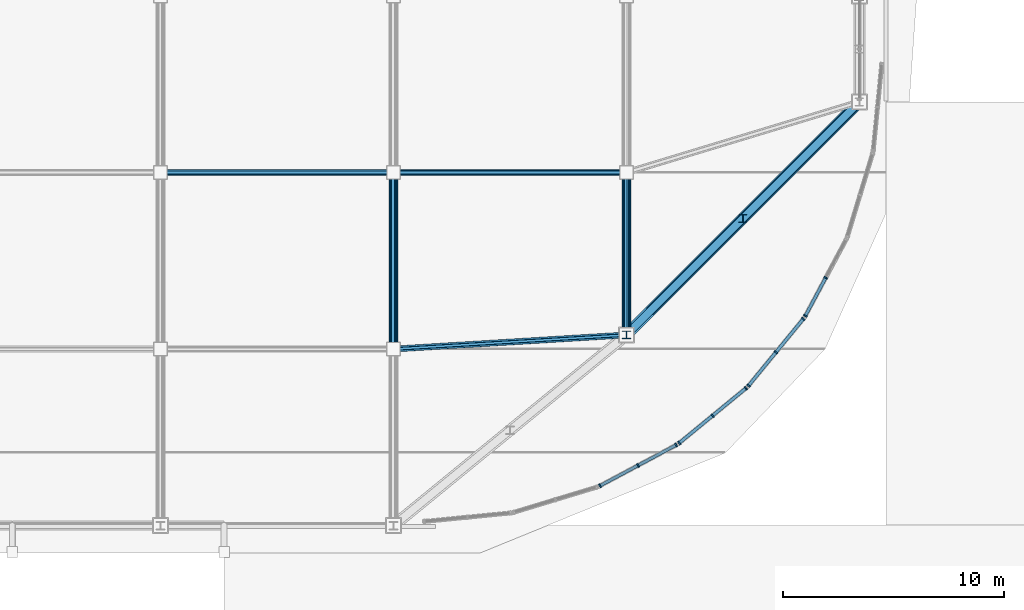
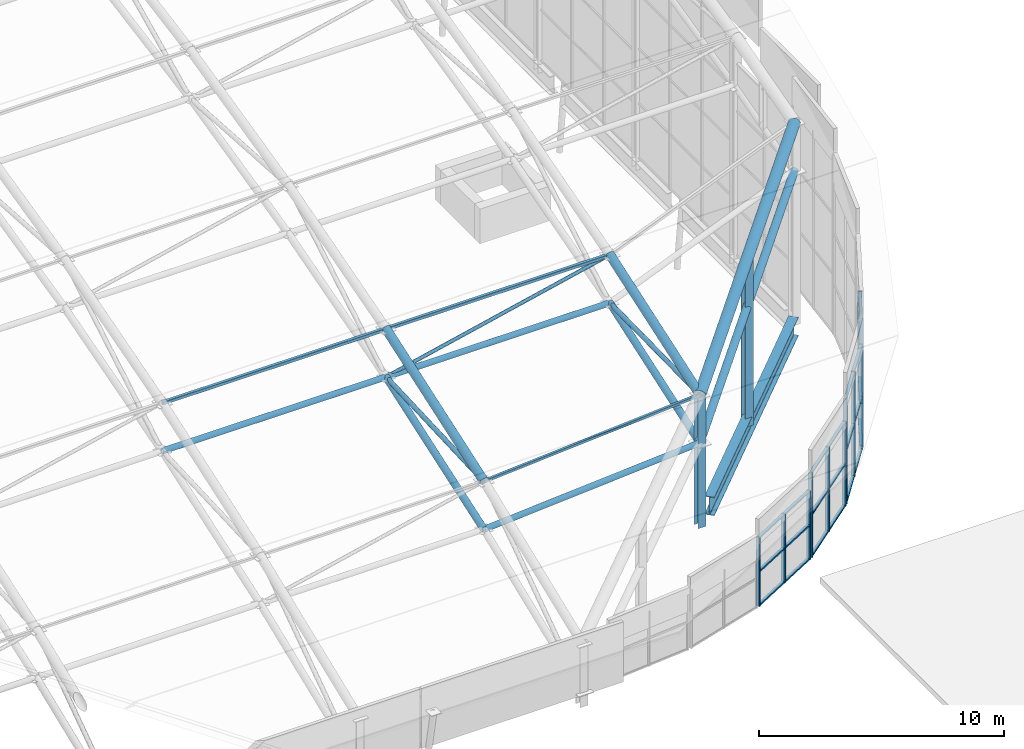
# One storey, part 10 of 42: 50 members, 1 beam, 4 elements without a shape of their own.
"""IFC4 building model written with IfcOpenShell, lengths in metres."""

from ifc_helpers import new_model, si_unit, direction, frame, origin, origin_2d, place, context, subcontext, project, spatial, rectangle, hollow_rectangle, hollow_circle, i_section, extrude, material, layer, layer_set, material_profile, profile_set, type_object, element, aggregate, save


model = new_model("IFC4")

# Units and contexts
model_context = context("Model", 3, precision=1e-05, world=origin(), true_north=direction((0.0, 1.0)))
body_context = subcontext(model_context, "Body", "Model", "MODEL_VIEW")
ifc_project = project(units=[si_unit("LENGTHUNIT", "METRE"), si_unit("AREAUNIT", "SQUARE_METRE"), si_unit("VOLUMEUNIT", "CUBIC_METRE"), si_unit("PLANEANGLEUNIT", "RADIAN"), si_unit("MASSUNIT", "GRAM", prefix="KILO")], contexts=[model_context])

# Site, building, storey
site_placement = place(None, origin())
site = spatial("IfcSite", under=ifc_project, at=site_placement, CompositionType="ELEMENT")
building_placement = place(site_placement, origin())
building = spatial("IfcBuilding", under=site, at=building_placement, Name="Caelomonte Colonnade Arena", CompositionType="ELEMENT")
storey_placement = place(building_placement, frame((0.0, 0.0, 28.199951171875)))
storey = spatial("IfcBuildingStorey", under=building, at=storey_placement, Name="RF", CompositionType="ELEMENT", Elevation=28.199951171875)

# Curtain wall, members
ifc_material_1 = material(Name="Bronze anodised aluminium and low-E glazing", Category="aluminium")
ifc_layer_1 = layer(ifc_material_1, 0.179931640625)
ifc_layer_set_1 = layer_set([ifc_layer_1], Name="Bronze anodised aluminium and low-E glazing")
curtain_wall_type_1 = type_object("IfcCurtainWallType", Name="ENV-CW-CW-TYMPC-03-34", PredefinedType="USERDEFINED", material=ifc_layer_set_1)
curtain_wall_1_placement = place(storey_placement, origin())
curtain_wall_1 = element("IfcCurtainWall", 1, at=curtain_wall_1_placement, inside=storey, type_object=curtain_wall_type_1, Name="Barrel arch rounded corner clerestory curtain wall 3", ObjectType="UNITIZED CURTAIN WALL", PredefinedType="USERDEFINED")
ifc_material_2 = material(Name="Bronze anodised aluminium AA6063-T6", Category="aluminium")
ifc_material_profile_1 = material_profile(ifc_material_2, rectangle(XDim=0.070068359375, YDim=0.179931640625, at=origin_2d()), Name="CWM-70X180")
ifc_profile_set_1 = profile_set([ifc_material_profile_1], Name="Bronze anodised aluminium AA6063-T6")
member_type_1 = type_object("IfcMemberType", Name="ENV-CW-MULL1", PredefinedType="MULLION", material=ifc_profile_set_1)
member_1_placement = place(storey_placement, frame((151.4423828125, 21.0048828125, -0.14990234375), z_axis=(0.0, 0.0, 1.0), x_axis=(0.881924283795, 0.471391087795, 0.0)))
member_1 = element("IfcMember", 2, at=member_1_placement, type_object=member_type_1, Name="CW-TYMPC-03-34 mullion 1", PredefinedType="MULLION", context=body_context, shape_type="SweptSolid", body=[
    extrude(rectangle(XDim=0.070068359375, YDim=0.179931640625, at=origin_2d()), origin(), (0.0, 0.0, 1.0), 3.43994140625),
])
member_2_placement = place(storey_placement, frame((153.167236328125, 21.9267578125, -0.14990234375), z_axis=(0.0, 0.0, 1.0), x_axis=(0.881924283795, 0.471391087795, 0.0)))
member_2 = element("IfcMember", 3, at=member_2_placement, type_object=member_type_1, Name="CW-TYMPC-03-34 mullion 2", PredefinedType="MULLION", context=body_context, shape_type="SweptSolid", body=[
    extrude(rectangle(XDim=0.070068359375, YDim=0.179931640625, at=origin_2d()), origin(), (0.0, 0.0, 1.0), 3.43994140625),
])
member_3_placement = place(storey_placement, frame((154.89208984375, 22.8486328125, -0.14990234375), z_axis=(0.0, 0.0, 1.0), x_axis=(0.881924283795, 0.471391087795, 0.0)))
member_3 = element("IfcMember", 4, at=member_3_placement, type_object=member_type_1, Name="CW-TYMPC-03-34 mullion 3", PredefinedType="MULLION", context=body_context, shape_type="SweptSolid", body=[
    extrude(rectangle(XDim=0.070068359375, YDim=0.179931640625, at=origin_2d()), origin(), (0.0, 0.0, 1.0), 3.43994140625),
])

ifc_layer_2 = layer(ifc_material_1, 0.179931640625)
ifc_layer_set_2 = layer_set([ifc_layer_2], Name="Bronze anodised aluminium and low-E glazing")
curtain_wall_type_2 = type_object("IfcCurtainWallType", Name="ENV-CW-CW-TYMPC-04-42", PredefinedType="USERDEFINED", material=ifc_layer_set_2)
curtain_wall_2_placement = place(storey_placement, origin())
curtain_wall_2 = element("IfcCurtainWall", 5, at=curtain_wall_2_placement, inside=storey, type_object=curtain_wall_type_2, Name="Barrel arch rounded corner clerestory curtain wall 4", ObjectType="UNITIZED CURTAIN WALL", PredefinedType="USERDEFINED")
member_4_placement = place(storey_placement, frame((155.03271484375, 22.942626953125, -0.14990234375), z_axis=(0.0, 0.0, 1.0), x_axis=(0.773000731835, 0.634405129694, 0.0)))
member_4 = element("IfcMember", 6, at=member_4_placement, type_object=member_type_1, Name="CW-TYMPC-04-42 mullion 1", PredefinedType="MULLION", context=body_context, shape_type="SweptSolid", body=[
    extrude(rectangle(XDim=0.070068359375, YDim=0.179931640625, at=origin_2d()), origin(), (0.0, 0.0, 1.0), 4.222412109375),
])
member_5_placement = place(storey_placement, frame((156.54443359375, 24.183349609375, -0.14990234375), z_axis=(0.0, 0.0, 1.0), x_axis=(0.773000731835, 0.634405129694, 0.0)))
member_5 = element("IfcMember", 7, at=member_5_placement, type_object=member_type_1, Name="CW-TYMPC-04-42 mullion 2", PredefinedType="MULLION", context=body_context, shape_type="SweptSolid", body=[
    extrude(rectangle(XDim=0.070068359375, YDim=0.179931640625, at=origin_2d()), origin(), (0.0, 0.0, 1.0), 4.222412109375),
])
member_6_placement = place(storey_placement, frame((158.05615234375, 25.424072265625, -0.14990234375), z_axis=(0.0, 0.0, 1.0), x_axis=(0.773000731835, 0.634405129694, 0.0)))
member_6 = element("IfcMember", 8, at=member_6_placement, type_object=member_type_1, Name="CW-TYMPC-04-42 mullion 3", PredefinedType="MULLION", context=body_context, shape_type="SweptSolid", body=[
    extrude(rectangle(XDim=0.070068359375, YDim=0.179931640625, at=origin_2d()), origin(), (0.0, 0.0, 1.0), 4.222412109375),
])

ifc_layer_3 = layer(ifc_material_1, 0.179931640625)
ifc_layer_set_3 = layer_set([ifc_layer_3], Name="Bronze anodised aluminium and low-E glazing")
curtain_wall_type_3 = type_object("IfcCurtainWallType", Name="ENV-CW-CW-TYMPC-04-52", PredefinedType="USERDEFINED", material=ifc_layer_set_3)
curtain_wall_3_placement = place(storey_placement, origin())
curtain_wall_3 = element("IfcCurtainWall", 9, at=curtain_wall_3_placement, inside=storey, type_object=curtain_wall_type_3, Name="Barrel arch rounded corner clerestory curtain wall 5", ObjectType="UNITIZED CURTAIN WALL", PredefinedType="USERDEFINED")
member_7_placement = place(storey_placement, frame((158.176025390625, 25.543701171875, -0.14990234375), z_axis=(0.0, 0.0, 1.0), x_axis=(0.634405129694, 0.773000731835, 0.0)))
member_7 = element("IfcMember", 10, at=member_7_placement, type_object=member_type_1, Name="CW-TYMPC-04-52 mullion 1", PredefinedType="MULLION", context=body_context, shape_type="SweptSolid", body=[
    extrude(rectangle(XDim=0.070068359375, YDim=0.179931640625, at=origin_2d()), origin(), (0.0, 0.0, 1.0), 5.236083984375),
])
member_8_placement = place(storey_placement, frame((159.41650390625, 27.055419921875, -0.14990234375), z_axis=(0.0, 0.0, 1.0), x_axis=(0.634405129694, 0.773000731835, 0.0)))
member_8 = element("IfcMember", 11, at=member_8_placement, type_object=member_type_1, Name="CW-TYMPC-04-52 mullion 2", PredefinedType="MULLION", context=body_context, shape_type="SweptSolid", body=[
    extrude(rectangle(XDim=0.070068359375, YDim=0.179931640625, at=origin_2d()), origin(), (0.0, 0.0, 1.0), 5.236083984375),
])
member_9_placement = place(storey_placement, frame((160.6572265625, 28.567138671875, -0.14990234375), z_axis=(0.0, 0.0, 1.0), x_axis=(0.634405129694, 0.773000731835, 0.0)))
member_9 = element("IfcMember", 12, at=member_9_placement, type_object=member_type_1, Name="CW-TYMPC-04-52 mullion 3", PredefinedType="MULLION", context=body_context, shape_type="SweptSolid", body=[
    extrude(rectangle(XDim=0.070068359375, YDim=0.179931640625, at=origin_2d()), origin(), (0.0, 0.0, 1.0), 5.236083984375),
])

ifc_layer_4 = layer(ifc_material_1, 0.179931640625)
ifc_layer_set_4 = layer_set([ifc_layer_4], Name="Bronze anodised aluminium and low-E glazing")
curtain_wall_type_4 = type_object("IfcCurtainWallType", Name="ENV-CW-CW-TYMPC-03-64", PredefinedType="USERDEFINED", material=ifc_layer_set_4)
curtain_wall_4_placement = place(storey_placement, origin())
curtain_wall_4 = element("IfcCurtainWall", 13, at=curtain_wall_4_placement, inside=storey, type_object=curtain_wall_type_4, Name="Barrel arch rounded corner clerestory curtain wall 6", ObjectType="UNITIZED CURTAIN WALL", PredefinedType="USERDEFINED")
member_10_placement = place(storey_placement, frame((160.751220703125, 28.7080078125, -0.14990234375), z_axis=(0.0, 0.0, 1.0), x_axis=(0.471391087795, 0.881924283795, 0.0)))
member_10 = element("IfcMember", 14, at=member_10_placement, type_object=member_type_1, Name="CW-TYMPC-03-64 mullion 1", PredefinedType="MULLION", context=body_context, shape_type="SweptSolid", body=[
    extrude(rectangle(XDim=0.070068359375, YDim=0.179931640625, at=origin_2d()), origin(), (0.0, 0.0, 1.0), 6.40966796875),
])
member_11_placement = place(storey_placement, frame((161.673095703125, 30.432861328125, -0.14990234375), z_axis=(0.0, 0.0, 1.0), x_axis=(0.471391087795, 0.881924283795, 0.0)))
member_11 = element("IfcMember", 15, at=member_11_placement, type_object=member_type_1, Name="CW-TYMPC-03-64 mullion 2", PredefinedType="MULLION", context=body_context, shape_type="SweptSolid", body=[
    extrude(rectangle(XDim=0.070068359375, YDim=0.179931640625, at=origin_2d()), origin(), (0.0, 0.0, 1.0), 6.40966796875),
])

# Member
ifc_material_profile_2 = material_profile(ifc_material_2, rectangle(XDim=0.070068359375, YDim=0.139892578125, at=origin_2d()), Name="CWT-70X140")
ifc_profile_set_2 = profile_set([ifc_material_profile_2], Name="Bronze anodised aluminium AA6063-T6")
member_type_2 = type_object("IfcMemberType", Name="ENV-CW-TRAN1", PredefinedType="USERDEFINED", material=ifc_profile_set_2)
member_12_placement = place(storey_placement, frame((151.473388671875, 21.021484375, -0.114990234375), z_axis=(0.881926100802, 0.471387688347, 0.0), x_axis=(0.0, 0.0, 1.0)))
member_12 = element("IfcMember", 16, at=member_12_placement, type_object=member_type_2, Name="CW-TYMPC-03-34 transom 1.1", ObjectType="TRANSOM", PredefinedType="USERDEFINED", context=body_context, shape_type="SweptSolid", body=[
    extrude(rectangle(XDim=0.070068359375, YDim=0.139892578125, at=origin_2d()), origin(), (0.0, 0.0, 1.0), 1.8857421875),
])

member_13_placement = place(storey_placement, frame((151.473388671875, 21.021484375, 1.570068359375), z_axis=(0.881926100802, 0.471387688347, 0.0), x_axis=(0.0, 0.0, 1.0)))
member_13 = element("IfcMember", 17, at=member_13_placement, type_object=member_type_2, Name="CW-TYMPC-03-34 transom 1.2", ObjectType="TRANSOM", PredefinedType="USERDEFINED", context=body_context, shape_type="SweptSolid", body=[
    extrude(rectangle(XDim=0.070068359375, YDim=0.139892578125, at=origin_2d()), origin(), (0.0, 0.0, 1.0), 1.8857421875),
])

member_14_placement = place(storey_placement, frame((151.473388671875, 21.021484375, 3.2548828125), z_axis=(0.881926100802, 0.471387688347, 0.0), x_axis=(0.0, 0.0, 1.0)))
member_14 = element("IfcMember", 18, at=member_14_placement, type_object=member_type_2, Name="CW-TYMPC-03-34 transom 1.3", ObjectType="TRANSOM", PredefinedType="USERDEFINED", context=body_context, shape_type="SweptSolid", body=[
    extrude(rectangle(XDim=0.070068359375, YDim=0.139892578125, at=origin_2d()), origin(), (0.0, 0.0, 1.0), 1.8857421875),
])

member_15_placement = place(storey_placement, frame((153.197998046875, 21.943359375, -0.114990234375), z_axis=(0.881926100802, 0.471387688347, 0.0), x_axis=(0.0, 0.0, 1.0)))
member_15 = element("IfcMember", 19, at=member_15_placement, type_object=member_type_2, Name="CW-TYMPC-03-34 transom 2.1", ObjectType="TRANSOM", PredefinedType="USERDEFINED", context=body_context, shape_type="SweptSolid", body=[
    extrude(rectangle(XDim=0.070068359375, YDim=0.139892578125, at=origin_2d()), origin(), (0.0, 0.0, 1.0), 1.8857421875),
])

member_16_placement = place(storey_placement, frame((153.197998046875, 21.943359375, 1.570068359375), z_axis=(0.881926100802, 0.471387688347, 0.0), x_axis=(0.0, 0.0, 1.0)))
member_16 = element("IfcMember", 20, at=member_16_placement, type_object=member_type_2, Name="CW-TYMPC-03-34 transom 2.2", ObjectType="TRANSOM", PredefinedType="USERDEFINED", context=body_context, shape_type="SweptSolid", body=[
    extrude(rectangle(XDim=0.070068359375, YDim=0.139892578125, at=origin_2d()), origin(), (0.0, 0.0, 1.0), 1.8857421875),
])

member_17_placement = place(storey_placement, frame((153.197998046875, 21.943359375, 3.2548828125), z_axis=(0.881926100802, 0.471387688347, 0.0), x_axis=(0.0, 0.0, 1.0)))
member_17 = element("IfcMember", 21, at=member_17_placement, type_object=member_type_2, Name="CW-TYMPC-03-34 transom 2.3", ObjectType="TRANSOM", PredefinedType="USERDEFINED", context=body_context, shape_type="SweptSolid", body=[
    extrude(rectangle(XDim=0.070068359375, YDim=0.139892578125, at=origin_2d()), origin(), (0.0, 0.0, 1.0), 1.8857421875),
])

aggregate(curtain_wall_1, [member_1, member_2, member_3, member_12, member_13, member_14, member_15, member_16, member_17])

member_18_placement = place(storey_placement, frame((155.059814453125, 22.96484375, -0.114990234375), z_axis=(0.772975681476, 0.634435651463, 0.0), x_axis=(0.0, 0.0, 1.0)))
member_18 = element("IfcMember", 22, at=member_18_placement, type_object=member_type_2, Name="CW-TYMPC-04-42 transom 1.1", ObjectType="TRANSOM", PredefinedType="USERDEFINED", context=body_context, shape_type="SweptSolid", body=[
    extrude(rectangle(XDim=0.070068359375, YDim=0.139892578125, at=origin_2d()), origin(), (0.0, 0.0, 1.0), 1.885498046875),
])

member_19_placement = place(storey_placement, frame((155.059814453125, 22.96484375, 1.96142578125), z_axis=(0.772975681476, 0.634435651463, 0.0), x_axis=(0.0, 0.0, 1.0)))
member_19 = element("IfcMember", 23, at=member_19_placement, type_object=member_type_2, Name="CW-TYMPC-04-42 transom 1.2", ObjectType="TRANSOM", PredefinedType="USERDEFINED", context=body_context, shape_type="SweptSolid", body=[
    extrude(rectangle(XDim=0.070068359375, YDim=0.139892578125, at=origin_2d()), origin(), (0.0, 0.0, 1.0), 1.885498046875),
])

member_20_placement = place(storey_placement, frame((155.059814453125, 22.96484375, 4.03759765625), z_axis=(0.772975681476, 0.634435651463, 0.0), x_axis=(0.0, 0.0, 1.0)))
member_20 = element("IfcMember", 24, at=member_20_placement, type_object=member_type_2, Name="CW-TYMPC-04-42 transom 1.3", ObjectType="TRANSOM", PredefinedType="USERDEFINED", context=body_context, shape_type="SweptSolid", body=[
    extrude(rectangle(XDim=0.070068359375, YDim=0.139892578125, at=origin_2d()), origin(), (0.0, 0.0, 1.0), 1.885498046875),
])

member_21_placement = place(storey_placement, frame((156.571533203125, 24.20556640625, -0.114990234375), z_axis=(0.773027789123, 0.63437215989, 0.0), x_axis=(0.0, 0.0, 1.0)))
member_21 = element("IfcMember", 25, at=member_21_placement, type_object=member_type_2, Name="CW-TYMPC-04-42 transom 2.1", ObjectType="TRANSOM", PredefinedType="USERDEFINED", context=body_context, shape_type="SweptSolid", body=[
    extrude(rectangle(XDim=0.070068359375, YDim=0.139892578125, at=origin_2d()), origin(), (0.0, 0.0, 1.0), 1.8857421875),
])

member_22_placement = place(storey_placement, frame((156.571533203125, 24.20556640625, 1.96142578125), z_axis=(0.773027789123, 0.63437215989, 0.0), x_axis=(0.0, 0.0, 1.0)))
member_22 = element("IfcMember", 26, at=member_22_placement, type_object=member_type_2, Name="CW-TYMPC-04-42 transom 2.2", ObjectType="TRANSOM", PredefinedType="USERDEFINED", context=body_context, shape_type="SweptSolid", body=[
    extrude(rectangle(XDim=0.070068359375, YDim=0.139892578125, at=origin_2d()), origin(), (0.0, 0.0, 1.0), 1.8857421875),
])

member_23_placement = place(storey_placement, frame((156.571533203125, 24.20556640625, 4.03759765625), z_axis=(0.773027789123, 0.63437215989, 0.0), x_axis=(0.0, 0.0, 1.0)))
member_23 = element("IfcMember", 27, at=member_23_placement, type_object=member_type_2, Name="CW-TYMPC-04-42 transom 2.3", ObjectType="TRANSOM", PredefinedType="USERDEFINED", context=body_context, shape_type="SweptSolid", body=[
    extrude(rectangle(XDim=0.070068359375, YDim=0.139892578125, at=origin_2d()), origin(), (0.0, 0.0, 1.0), 1.8857421875),
])

aggregate(curtain_wall_2, [member_4, member_5, member_6, member_18, member_19, member_20, member_21, member_22, member_23])

member_24_placement = place(storey_placement, frame((158.197998046875, 25.57080078125, -0.114990234375), z_axis=(0.63437215989, 0.773027789123, 0.0), x_axis=(0.0, 0.0, 1.0)))
member_24 = element("IfcMember", 28, at=member_24_placement, type_object=member_type_2, Name="CW-TYMPC-04-52 transom 1.1", ObjectType="TRANSOM", PredefinedType="USERDEFINED", context=body_context, shape_type="SweptSolid", body=[
    extrude(rectangle(XDim=0.070068359375, YDim=0.139892578125, at=origin_2d()), origin(), (0.0, 0.0, 1.0), 1.8857421875),
])

member_25_placement = place(storey_placement, frame((158.197998046875, 25.57080078125, 2.46826171875), z_axis=(0.63437215989, 0.773027789123, 0.0), x_axis=(0.0, 0.0, 1.0)))
member_25 = element("IfcMember", 29, at=member_25_placement, type_object=member_type_2, Name="CW-TYMPC-04-52 transom 1.2", ObjectType="TRANSOM", PredefinedType="USERDEFINED", context=body_context, shape_type="SweptSolid", body=[
    extrude(rectangle(XDim=0.070068359375, YDim=0.139892578125, at=origin_2d()), origin(), (0.0, 0.0, 1.0), 1.8857421875),
])

member_26_placement = place(storey_placement, frame((158.197998046875, 25.57080078125, 5.05126953125), z_axis=(0.63437215989, 0.773027789123, 0.0), x_axis=(0.0, 0.0, 1.0)))
member_26 = element("IfcMember", 30, at=member_26_placement, type_object=member_type_2, Name="CW-TYMPC-04-52 transom 1.3", ObjectType="TRANSOM", PredefinedType="USERDEFINED", context=body_context, shape_type="SweptSolid", body=[
    extrude(rectangle(XDim=0.070068359375, YDim=0.139892578125, at=origin_2d()), origin(), (0.0, 0.0, 1.0), 1.8857421875),
])

member_27_placement = place(storey_placement, frame((159.438720703125, 27.08251953125, -0.114990234375), z_axis=(0.63437215989, 0.773027789123, 0.0), x_axis=(0.0, 0.0, 1.0)))
member_27 = element("IfcMember", 31, at=member_27_placement, type_object=member_type_2, Name="CW-TYMPC-04-52 transom 2.1", ObjectType="TRANSOM", PredefinedType="USERDEFINED", context=body_context, shape_type="SweptSolid", body=[
    extrude(rectangle(XDim=0.070068359375, YDim=0.139892578125, at=origin_2d()), origin(), (0.0, 0.0, 1.0), 1.8857421875),
])

member_28_placement = place(storey_placement, frame((159.438720703125, 27.08251953125, 2.46826171875), z_axis=(0.63437215989, 0.773027789123, 0.0), x_axis=(0.0, 0.0, 1.0)))
member_28 = element("IfcMember", 32, at=member_28_placement, type_object=member_type_2, Name="CW-TYMPC-04-52 transom 2.2", ObjectType="TRANSOM", PredefinedType="USERDEFINED", context=body_context, shape_type="SweptSolid", body=[
    extrude(rectangle(XDim=0.070068359375, YDim=0.139892578125, at=origin_2d()), origin(), (0.0, 0.0, 1.0), 1.8857421875),
])

member_29_placement = place(storey_placement, frame((159.438720703125, 27.08251953125, 5.05126953125), z_axis=(0.63437215989, 0.773027789123, 0.0), x_axis=(0.0, 0.0, 1.0)))
member_29 = element("IfcMember", 33, at=member_29_placement, type_object=member_type_2, Name="CW-TYMPC-04-52 transom 2.3", ObjectType="TRANSOM", PredefinedType="USERDEFINED", context=body_context, shape_type="SweptSolid", body=[
    extrude(rectangle(XDim=0.070068359375, YDim=0.139892578125, at=origin_2d()), origin(), (0.0, 0.0, 1.0), 1.8857421875),
])

aggregate(curtain_wall_3, [member_7, member_8, member_9, member_24, member_25, member_26, member_27, member_28, member_29])

member_30_placement = place(storey_placement, frame((160.767822265625, 28.73876953125, -0.114990234375), z_axis=(0.471387688347, 0.881926100802, 0.0), x_axis=(0.0, 0.0, 1.0)))
member_30 = element("IfcMember", 34, at=member_30_placement, type_object=member_type_2, Name="CW-TYMPC-03-64 transom 1.1", ObjectType="TRANSOM", PredefinedType="USERDEFINED", context=body_context, shape_type="SweptSolid", body=[
    extrude(rectangle(XDim=0.070068359375, YDim=0.139892578125, at=origin_2d()), origin(), (0.0, 0.0, 1.0), 1.8857421875),
])

member_31_placement = place(storey_placement, frame((160.767822265625, 28.73876953125, 1.986572265625), z_axis=(0.471387688347, 0.881926100802, 0.0), x_axis=(0.0, 0.0, 1.0)))
member_31 = element("IfcMember", 35, at=member_31_placement, type_object=member_type_2, Name="CW-TYMPC-03-64 transom 1.2", ObjectType="TRANSOM", PredefinedType="USERDEFINED", context=body_context, shape_type="SweptSolid", body=[
    extrude(rectangle(XDim=0.070068359375, YDim=0.139892578125, at=origin_2d()), origin(), (0.0, 0.0, 1.0), 1.8857421875),
])

member_32_placement = place(storey_placement, frame((160.767822265625, 28.73876953125, 4.123046875), z_axis=(0.471387688347, 0.881926100802, 0.0), x_axis=(0.0, 0.0, 1.0)))
member_32 = element("IfcMember", 36, at=member_32_placement, type_object=member_type_2, Name="CW-TYMPC-03-64 transom 1.3", ObjectType="TRANSOM", PredefinedType="USERDEFINED", context=body_context, shape_type="SweptSolid", body=[
    extrude(rectangle(XDim=0.070068359375, YDim=0.139892578125, at=origin_2d()), origin(), (0.0, 0.0, 1.0), 1.8857421875),
])

member_33_placement = place(storey_placement, frame((160.767822265625, 28.73876953125, 6.224853515625), z_axis=(0.471387688347, 0.881926100802, 0.0), x_axis=(0.0, 0.0, 1.0)))
member_33 = element("IfcMember", 37, at=member_33_placement, type_object=member_type_2, Name="CW-TYMPC-03-64 transom 1.4", ObjectType="TRANSOM", PredefinedType="USERDEFINED", context=body_context, shape_type="SweptSolid", body=[
    extrude(rectangle(XDim=0.070068359375, YDim=0.139892578125, at=origin_2d()), origin(), (0.0, 0.0, 1.0), 1.8857421875),
])

aggregate(curtain_wall_4, [member_10, member_11, member_30, member_31, member_32, member_33])

# Beam
ifc_material_3 = material(Name="Wide-flange steel ASTM A992 Grade 50", Category="steel")
ifc_material_profile_3 = material_profile(ifc_material_3, i_section(OverallWidth=0.418212890625, OverallDepth=0.927001953125, WebThickness=0.019287109375, FlangeThickness=0.031982421875, FilletRadius=0.024169921875, at=origin_2d()), Name="W36X231")
ifc_profile_set_3 = profile_set([ifc_material_profile_3], Name="Wide-flange steel ASTM A992 Grade 50")
beam_type = type_object("IfcBeamType", Name="STR-BM-EAVES1", PredefinedType="SPANDREL", material=ifc_profile_set_3)
beam_placement = place(storey_placement, frame((153.7021484375, 28.902099609375, -0.743408203125), z_axis=(0.707106781187, 0.707106781187, 0.0), x_axis=(-0.707106781187, 0.707106781187, 0.0)))
element("IfcBeam", 38, at=beam_placement, inside=storey, type_object=beam_type, Name="RF drum corner ring girder 4", PredefinedType="SPANDREL", context=body_context, shape_type="SweptSolid", body=[
    extrude(i_section(OverallWidth=0.418212890625, OverallDepth=0.927001953125, WebThickness=0.019287109375, FlangeThickness=0.031982421875, FilletRadius=0.024169921875, at=origin_2d()), origin(), (0.0, 0.0, 1.0), 13.28759765625),
])

# Members
ifc_material_profile_4 = material_profile(ifc_material_3, i_section(OverallWidth=0.368896484375, OverallDepth=0.356201171875, WebThickness=0.01123046875, FlangeThickness=0.01806640625, FilletRadius=0.01513671875, at=origin_2d()), Name="W14X90")
ifc_profile_set_4 = profile_set([ifc_material_profile_4], Name="Wide-flange steel ASTM A992 Grade 50")
member_type_3 = type_object("IfcMemberType", Name="STR-CAT-STR", PredefinedType="STRUT", material=ifc_profile_set_4)
member_34_placement = place(storey_placement, frame((152.639892578125, 27.840087890625, -0.699951171875), z_axis=(0.0, 0.0, 1.0), x_axis=(1.0, 0.0, 0.0)))
element("IfcMember", 39, at=member_34_placement, inside=storey, type_object=member_type_3, Name="Roof truss eaves bearing post 9-1", PredefinedType="STRUT", context=body_context, shape_type="SweptSolid", body=[
    extrude(i_section(OverallWidth=0.368896484375, OverallDepth=0.356201171875, WebThickness=0.01123046875, FlangeThickness=0.01806640625, FilletRadius=0.01513671875, at=origin_2d()), origin(), (0.0, 0.0, 1.0), 6.52099609375),
])
member_35_placement = place(storey_placement, frame((157.919921875, 33.1201171875, -0.699951171875), z_axis=(0.0, 0.0, 1.0), x_axis=(1.0, 0.0, 0.0)))
element("IfcMember", 40, at=member_35_placement, inside=storey, type_object=member_type_3, Name="Rounded corner roof Vierendeel post SE-2", PredefinedType="STRUT", context=body_context, shape_type="SweptSolid", body=[
    extrude(i_section(OverallWidth=0.368896484375, OverallDepth=0.356201171875, WebThickness=0.01123046875, FlangeThickness=0.01806640625, FilletRadius=0.01513671875, at=origin_2d()), origin(), (0.0, 0.0, 1.0), 8.26806640625),
])
ifc_material_4 = material(Name="Steel ASTM A500 Grade C", Category="steel")
ifc_material_profile_5 = material_profile(ifc_material_4, hollow_circle(Radius=0.177734375, WallThickness=0.0126953125, at=origin_2d()), Name="CHS355.6X12.7")
ifc_profile_set_5 = profile_set([ifc_material_profile_5], Name="Steel ASTM A500 Grade C")
member_type_4 = type_object("IfcMemberType", Name="STR-SF-BC1", PredefinedType="CHORD", material=ifc_profile_set_5)
member_36_placement = place(storey_placement, frame((152.641357421875, 27.84130859375, 3.421630859375), z_axis=(0.688507711626, 0.688523633825, 0.227798895292), x_axis=(-0.707114957202, 0.707098605077, 0.0)))
element("IfcMember", 41, at=member_36_placement, inside=storey, type_object=member_type_4, Name="Rounded corner roof bottom chord SE-2", PredefinedType="CHORD", context=body_context, shape_type="SweptSolid", body=[
    extrude(hollow_circle(Radius=0.177734375, WallThickness=0.0126953125, at=origin_2d()), origin(), (0.0, 0.0, 1.0), 15.333251953125),
])
ifc_material_profile_6 = material_profile(ifc_material_4, hollow_circle(Radius=0.161865234375, WallThickness=0.010009765625, at=origin_2d()), Name="CHS323.9X10.0")
ifc_profile_set_6 = profile_set([ifc_material_profile_6], Name="Steel ASTM A500 Grade C")
member_type_5 = type_object("IfcMemberType", Name="STR-SF-BC2", PredefinedType="CHORD", material=ifc_profile_set_6)
member_37_placement = place(storey_placement, frame((142.080078125, 27.201904296875, 3.185791015625), z_axis=(0.0, 0.945655527912, 0.325170143971), x_axis=(-1.0, 0.0, 0.0)))
element("IfcMember", 42, at=member_37_placement, inside=storey, type_object=member_type_5, Name="Arched roof truss bottom chord 8-1", PredefinedType="CHORD", context=body_context, shape_type="SweptSolid", body=[
    extrude(hollow_circle(Radius=0.161865234375, WallThickness=0.010009765625, at=origin_2d()), origin(), (0.0, 0.0, 1.0), 8.45556640625),
])
member_38_placement = place(storey_placement, frame((152.639892578125, 27.841796875, 3.421630859375), z_axis=(0.0, 0.946269481758, 0.323379139546), x_axis=(-1.0, 0.0, 0.0)))
element("IfcMember", 43, at=member_38_placement, inside=storey, type_object=member_type_5, Name="Arched roof truss bottom chord 9-1", PredefinedType="CHORD", context=body_context, shape_type="SweptSolid", body=[
    extrude(hollow_circle(Radius=0.161865234375, WallThickness=0.010009765625, at=origin_2d()), origin(), (0.0, 0.0, 1.0), 7.77392578125),
])
ifc_material_profile_7 = material_profile(ifc_material_4, hollow_rectangle(XDim=0.15234375, YDim=0.15234375, WallThickness=0.008056640625, InnerFilletRadius=0.008056640625, OuterFilletRadius=0.01611328125, at=origin_2d()), Name="HSS152X152X8.0")
ifc_profile_set_7 = profile_set([ifc_material_profile_7], Name="Steel ASTM A500 Grade C")
member_type_6 = type_object("IfcMemberType", Name="STR-SF-PUR2", PredefinedType="PURLIN", material=ifc_profile_set_7)
for number, where, z_axis, x_axis, name in (
    (44, (131.52197265625, 35.199951171875, 8.3359375), (1.0, 0.0, 0.0), (0.0, 1.0, 0.0), "Arched roof purlin 7-2"),
    (45, (142.08203125, 35.199951171875, 8.3359375), (1.0, 0.0, 0.0), (0.0, 1.0, 0.0), "Arched roof purlin 8-2"),
):
    element("IfcMember", number, at=place(storey_placement, frame(where, z_axis=z_axis, x_axis=x_axis)), inside=storey, type_object=member_type_6, Name=name, PredefinedType="PURLIN", context=body_context, shape_type="SweptSolid", body=[
        extrude(hollow_rectangle(XDim=0.15234375, YDim=0.15234375, WallThickness=0.008056640625, InnerFilletRadius=0.008056640625, OuterFilletRadius=0.01611328125, at=origin_2d()), origin(), (0.0, 0.0, 1.0), 10.555908203125),
    ])
ifc_material_profile_8 = material_profile(ifc_material_4, hollow_rectangle(XDim=0.126953125, YDim=0.126953125, WallThickness=0.00634765625, InnerFilletRadius=0.00634765625, OuterFilletRadius=0.0126953125, at=origin_2d()), Name="HSS127X127X6.4")
ifc_profile_set_8 = profile_set([ifc_material_profile_8], Name="Steel ASTM A500 Grade C")
member_type_7 = type_object("IfcMemberType", Name="STR-SF-PUR3", PredefinedType="PURLIN", material=ifc_profile_set_8)
member_39_placement = place(storey_placement, frame((142.08203125, 27.2001953125, 5.5849609375), z_axis=(0.997920453196, 0.060470235848, 0.022318594681), x_axis=(-0.060485302184, 0.99816908799, 0.0)))
element("IfcMember", 46, at=member_39_placement, inside=storey, type_object=member_type_7, Name="Arched roof purlin 8-1", PredefinedType="PURLIN", context=body_context, shape_type="SweptSolid", body=[
    extrude(hollow_rectangle(XDim=0.126953125, YDim=0.126953125, WallThickness=0.00634765625, InnerFilletRadius=0.00634765625, OuterFilletRadius=0.0126953125, at=origin_2d()), origin(), (0.0, 0.0, 1.0), 10.577880859375),
])
ifc_material_profile_9 = material_profile(ifc_material_4, hollow_circle(Radius=0.25390625, WallThickness=0.015869140625, at=origin_2d()), Name="CHS508X15.9")
ifc_profile_set_9 = profile_set([ifc_material_profile_9], Name="Steel ASTM A500 Grade C")
member_type_8 = type_object("IfcMemberType", Name="STR-SF-TC1", PredefinedType="CHORD", material=ifc_profile_set_9)
member_40_placement = place(storey_placement, frame((152.641357421875, 27.84130859375, 5.821533203125), z_axis=(0.688507711626, 0.688523633825, 0.227798895292), x_axis=(-0.707114957202, 0.707098605077, 0.0)))
element("IfcMember", 47, at=member_40_placement, inside=storey, type_object=member_type_8, Name="Rounded corner roof top chord SE-2", PredefinedType="CHORD", context=body_context, shape_type="SweptSolid", body=[
    extrude(hollow_circle(Radius=0.25390625, WallThickness=0.015869140625, at=origin_2d()), origin(), (0.0, 0.0, 1.0), 15.333251953125),
])
ifc_material_profile_10 = material_profile(ifc_material_4, hollow_circle(Radius=0.203125, WallThickness=0.0126953125, at=origin_2d()), Name="CHS406.4X12.7")
ifc_profile_set_10 = profile_set([ifc_material_profile_10], Name="Steel ASTM A500 Grade C")
member_type_9 = type_object("IfcMemberType", Name="STR-SF-TC2", PredefinedType="CHORD", material=ifc_profile_set_10)
member_41_placement = place(storey_placement, frame((142.080078125, 27.201904296875, 5.585693359375), z_axis=(0.0, 0.945646649159, 0.325195963895), x_axis=(-1.0, 0.0, 0.0)))
element("IfcMember", 48, at=member_41_placement, inside=storey, type_object=member_type_9, Name="Arched roof truss top chord 8-1", PredefinedType="CHORD", context=body_context, shape_type="SweptSolid", body=[
    extrude(hollow_circle(Radius=0.203125, WallThickness=0.0126953125, at=origin_2d()), origin(), (0.0, 0.0, 1.0), 8.455810546875),
])
member_42_placement = place(storey_placement, frame((152.639892578125, 27.841796875, 5.82177734375), z_axis=(0.0, 0.946279091542, 0.323351018105), x_axis=(-1.0, 0.0, 0.0)))
element("IfcMember", 49, at=member_42_placement, inside=storey, type_object=member_type_9, Name="Arched roof truss top chord 9-1", PredefinedType="CHORD", context=body_context, shape_type="SweptSolid", body=[
    extrude(hollow_circle(Radius=0.203125, WallThickness=0.0126953125, at=origin_2d()), origin(), (0.0, 0.0, 1.0), 7.77392578125),
])
ifc_material_profile_11 = material_profile(ifc_material_4, hollow_circle(Radius=0.136474609375, WallThickness=0.00927734375, at=origin_2d()), Name="CHS273.0X9.3")
ifc_profile_set_11 = profile_set([ifc_material_profile_11], Name="Steel ASTM A500 Grade C")
member_type_10 = type_object("IfcMemberType", Name="STR-SF-TIE", PredefinedType="STRUT", material=ifc_profile_set_11)
member_43_placement = place(storey_placement, frame((131.52197265625, 35.199951171875, 5.93603515625), z_axis=(1.0, 0.0, 0.0), x_axis=(0.0, 1.0, 0.0)))
element("IfcMember", 50, at=member_43_placement, inside=storey, type_object=member_type_10, Name="Space frame roof tie strut 7-2", PredefinedType="STRUT", context=body_context, shape_type="SweptSolid", body=[
    extrude(hollow_circle(Radius=0.136474609375, WallThickness=0.00927734375, at=origin_2d()), origin(), (0.0, 0.0, 1.0), 10.555908203125),
])
member_44_placement = place(storey_placement, frame((142.08203125, 27.2001953125, 3.18505859375), z_axis=(0.997920453196, 0.060470235848, 0.022318594681), x_axis=(-0.060485302184, 0.99816908799, 0.0)))
element("IfcMember", 51, at=member_44_placement, inside=storey, type_object=member_type_10, Name="Space frame roof tie strut 8-1", PredefinedType="STRUT", context=body_context, shape_type="SweptSolid", body=[
    extrude(hollow_circle(Radius=0.136474609375, WallThickness=0.00927734375, at=origin_2d()), origin(), (0.0, 0.0, 1.0), 10.577880859375),
])
member_45_placement = place(storey_placement, frame((142.08203125, 35.199951171875, 5.93603515625), z_axis=(1.0, 0.0, 0.0), x_axis=(0.0, 1.0, 0.0)))
element("IfcMember", 52, at=member_45_placement, inside=storey, type_object=member_type_10, Name="Space frame roof tie strut 8-2", PredefinedType="STRUT", context=body_context, shape_type="SweptSolid", body=[
    extrude(hollow_circle(Radius=0.136474609375, WallThickness=0.00927734375, at=origin_2d()), origin(), (0.0, 0.0, 1.0), 10.555908203125),
])
ifc_material_profile_12 = material_profile(ifc_material_4, hollow_circle(Radius=0.109619140625, WallThickness=0.00830078125, at=origin_2d()), Name="CHS219.1X8.2")
ifc_profile_set_12 = profile_set([ifc_material_profile_12], Name="Steel ASTM A500 Grade C")
member_type_11 = type_object("IfcMemberType", Name="STR-SF-WEB1", PredefinedType="BRACE", material=ifc_profile_set_12)
member_46_placement = place(storey_placement, frame((142.080078125, 27.201904296875, 5.585205078125), z_axis=(0.0, 0.999038871579, 0.043833013509), x_axis=(-1.0, 0.0, 0.0)))
element("IfcMember", 53, at=member_46_placement, inside=storey, type_object=member_type_11, Name="Space frame roof truss web diagonal 8-1", PredefinedType="BRACE", context=body_context, shape_type="SweptSolid", body=[
    extrude(hollow_circle(Radius=0.109619140625, WallThickness=0.00830078125, at=origin_2d()), origin(), (0.0, 0.0, 1.0), 8.00390625),
])
member_47_placement = place(storey_placement, frame((152.639892578125, 27.842041015625, 5.821044921875), z_axis=(0.0, 0.999877838609, 0.015630350547), x_axis=(-1.0, 0.0, 0.0)))
element("IfcMember", 54, at=member_47_placement, inside=storey, type_object=member_type_11, Name="Space frame roof truss web diagonal 9-1", PredefinedType="BRACE", context=body_context, shape_type="SweptSolid", body=[
    extrude(hollow_circle(Radius=0.109619140625, WallThickness=0.00830078125, at=origin_2d()), origin(), (0.0, 0.0, 1.0), 7.35693359375),
])
ifc_material_profile_13 = material_profile(ifc_material_4, hollow_circle(Radius=0.084228515625, WallThickness=0.007080078125, at=origin_2d()), Name="CHS168.3X7.1")
ifc_profile_set_13 = profile_set([ifc_material_profile_13], Name="Steel ASTM A500 Grade C")
member_type_12 = type_object("IfcMemberType", Name="STR-SF-WEB2", PredefinedType="BRACE", material=ifc_profile_set_13)
member_48_placement = place(storey_placement, frame((142.08203125, 35.199951171875, 5.9365234375), z_axis=(0.975130861858, 0.0, 0.221629876714), x_axis=(0.0, 1.0, 0.0)))
element("IfcMember", 55, at=member_48_placement, inside=storey, type_object=member_type_12, Name="Space frame transverse diagonal 8-2", PredefinedType="BRACE", context=body_context, shape_type="SweptSolid", body=[
    extrude(hollow_circle(Radius=0.084228515625, WallThickness=0.007080078125, at=origin_2d()), origin(), (0.0, 0.0, 1.0), 10.8251953125),
])

save(model, "model.ifc")
